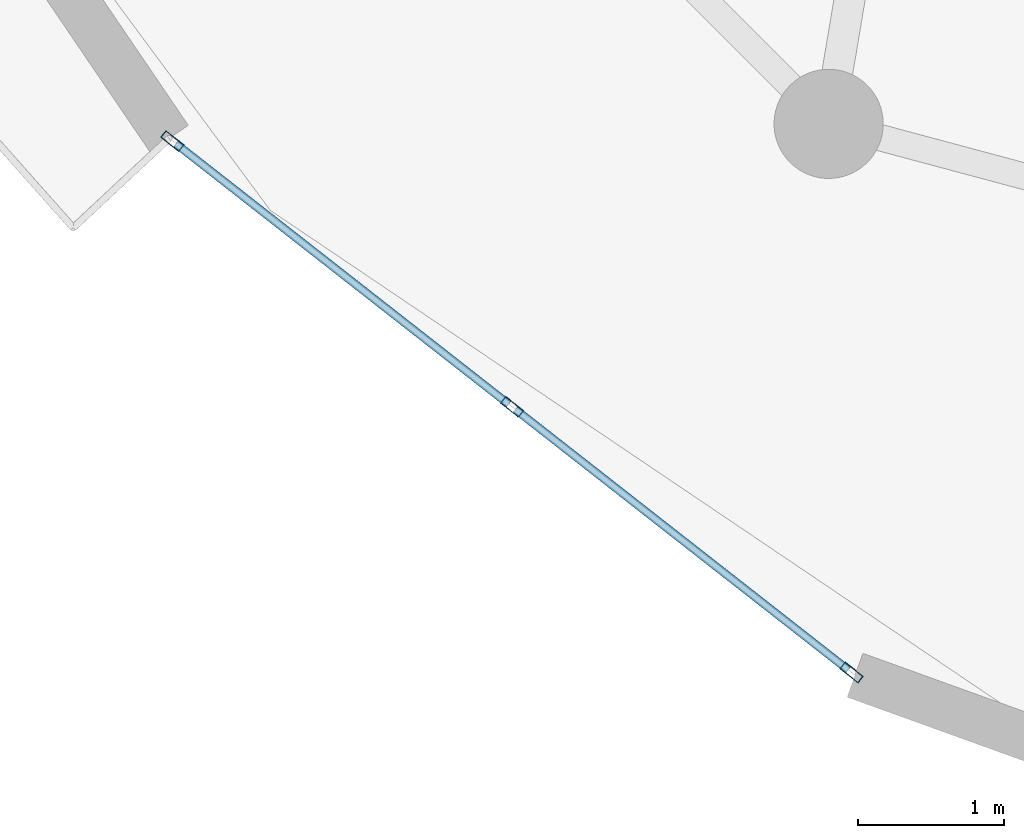
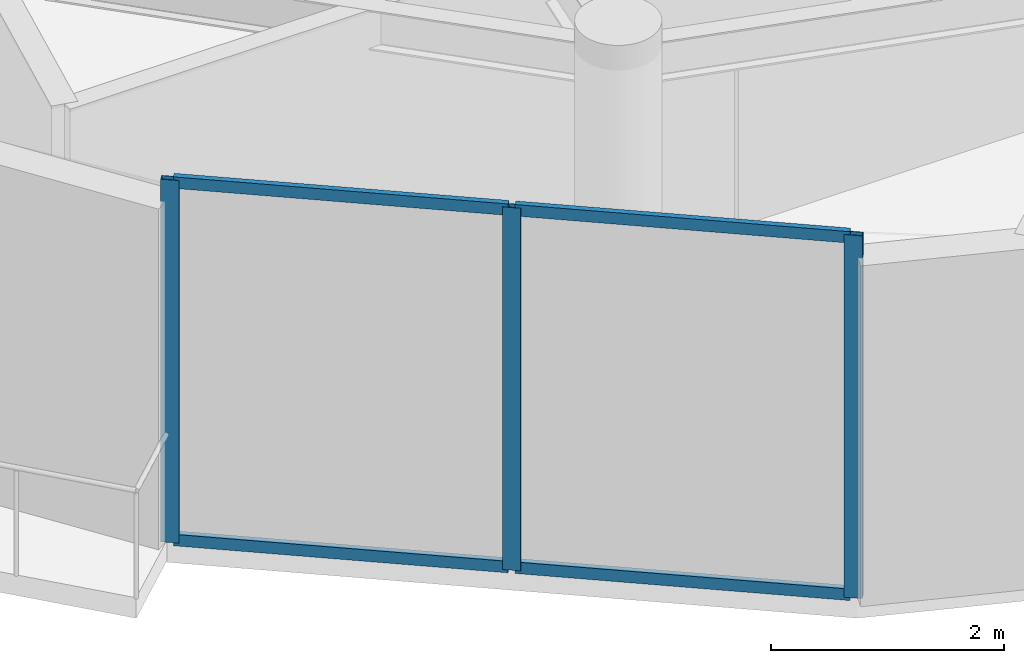
# One storey, part 2 of 19: 7 members, 1 element without a shape of its own.
"""IFC4 building model written with IfcOpenShell, lengths in metres."""

from ifc_helpers import new_model, si_unit, direction, frame, origin, origin_2d, place, context, subcontext, project, spatial, hollow_rectangle, extrude, source, transform, mapped, material, layer, layer_set, material_profile, profile_set, type_object, element, aggregate, save


model = new_model("IFC4")

# Units and contexts
model_context = context("Model", 3, precision=1e-05, world=origin(), true_north=direction((0.0, 1.0)))
body_context = subcontext(model_context, "Body", "Model", "MODEL_VIEW")
ifc_project = project(units=[si_unit("LENGTHUNIT", "METRE"), si_unit("AREAUNIT", "SQUARE_METRE"), si_unit("VOLUMEUNIT", "CUBIC_METRE"), si_unit("PLANEANGLEUNIT", "RADIAN"), si_unit("MASSUNIT", "GRAM", prefix="KILO")], contexts=[model_context])

# Site, building, storey
site_placement = place(None, origin())
site = spatial("IfcSite", under=ifc_project, at=site_placement, CompositionType="ELEMENT")
building_placement = place(site_placement, origin())
building = spatial("IfcBuilding", under=site, at=building_placement, Name="Solvirekh Grand Hotel", CompositionType="ELEMENT")
storey_placement = place(building_placement, frame((0.0, 0.0, 254.39990234375)))
storey = spatial("IfcBuildingStorey", under=building, at=storey_placement, Name="L66", CompositionType="ELEMENT", Elevation=254.39990234375)

# Curtain wall, members
ifc_material = material(Name="Anodized Bronze Aluminium 6063-T6", Category="aluminium")
ifc_layer = layer(ifc_material, 0.159912109375)
ifc_layer_set = layer_set([ifc_layer], Name="Anodized Bronze Aluminium 6063-T6")
curtain_wall_type = type_object("IfcCurtainWallType", Name="CW_Sys4_HighZoneFlushBronzeCW", PredefinedType="NOTDEFINED", material=ifc_layer_set)
curtain_wall_placement = place(storey_placement, origin())
curtain_wall = element("IfcCurtainWall", 1, at=curtain_wall_placement, inside=storey, type_object=curtain_wall_type, Name="L66 unitised bronze-glass curtain wall CW-L66-C18", PredefinedType="NOTDEFINED")
ifc_material_profile_1 = material_profile(ifc_material, hollow_rectangle(XDim=0.06005859375, YDim=0.159912109375, WallThickness=0.0048828125, at=origin_2d()), Name="ALU RHS 160X60X5")
ifc_profile_set_1 = profile_set([ifc_material_profile_1], Name="Anodized Bronze Aluminium 6063-T6")
member_type_1 = type_object("IfcMemberType", Name="CWMullion_Sys4", PredefinedType="MULLION", material=ifc_profile_set_1)
shared_shape_1 = source(origin(), body_context, "Body", "SweptSolid", [
    extrude(hollow_rectangle(XDim=0.06005859375, YDim=0.159912109375, WallThickness=0.0048828125, at=origin_2d()), origin(), (0.0, 0.0, 1.0), 3.800048828125),
])
member_1_placement = place(storey_placement, frame((-12.2333984375, -13.49853515625, 0.0), z_axis=(0.0, 0.0, 1.0), x_axis=(0.616263204488, 0.787540261062, 0.0)))
member_1 = element("IfcMember", 2, at=member_1_placement, type_object=member_type_1, Name="U04 mullion 1", PredefinedType="MULLION", context=body_context, shape_type="MappedRepresentation", body=[
    mapped(shared_shape_1, transform((0.0, 0.0, 0.0), x_axis=(1.0, 0.0, 0.0), y_axis=(0.0, 1.0, 0.0), z_axis=(0.0, 0.0, 1.0), scale=1.0)),
])
member_2_placement = place(storey_placement, frame((-9.900390625, -15.323974609375, 0.0), z_axis=(0.0, 0.0, 1.0), x_axis=(0.616263204488, 0.787540261062, 0.0)))
member_2 = element("IfcMember", 3, at=member_2_placement, type_object=member_type_1, Name="U04 mullion 2", PredefinedType="MULLION", context=body_context, shape_type="MappedRepresentation", body=[
    mapped(shared_shape_1, transform((0.0, 0.0, 0.0), x_axis=(1.0, 0.0, 0.0), y_axis=(0.0, 1.0, 0.0), z_axis=(0.0, 0.0, 1.0), scale=1.0)),
])
member_3_placement = place(storey_placement, frame((-7.567626953125, -17.1494140625, 0.0), z_axis=(0.0, 0.0, 1.0), x_axis=(0.616263204488, 0.787540261062, 0.0)))
member_3 = element("IfcMember", 4, at=member_3_placement, type_object=member_type_1, Name="U04 mullion 3", PredefinedType="MULLION", context=body_context, shape_type="MappedRepresentation", body=[
    mapped(shared_shape_1, transform((0.0, 0.0, 0.0), x_axis=(1.0, 0.0, 0.0), y_axis=(0.0, 1.0, 0.0), z_axis=(0.0, 0.0, 1.0), scale=1.0)),
])
ifc_material_profile_2 = material_profile(ifc_material, hollow_rectangle(XDim=0.054931640625, YDim=0.1201171875, WallThickness=0.00390625, at=origin_2d()), Name="ALU RHS 120X55X4")
ifc_profile_set_2 = profile_set([ifc_material_profile_2], Name="Anodized Bronze Aluminium 6063-T6")
member_type_2 = type_object("IfcMemberType", Name="CWTransom_Sys4", PredefinedType="USERDEFINED", material=ifc_profile_set_2)
shared_shape_2 = source(origin(), body_context, "Body", "SweptSolid", [
    extrude(hollow_rectangle(XDim=0.054931640625, YDim=0.1201171875, WallThickness=0.00390625, at=origin_2d()), origin(), (0.0, 0.0, 1.0), 2.90234375),
])
member_4_placement = place(storey_placement, frame((-9.876953125, -15.342529296875, 0.027587890625), z_axis=(0.787536951967, -0.616267433252, 0.0), x_axis=(0.616267433252, 0.787536951967, 0.0)))
member_4 = element("IfcMember", 5, at=member_4_placement, type_object=member_type_2, Name="U04 transom 2.1", ObjectType="TRANSOM", PredefinedType="USERDEFINED", context=body_context, shape_type="MappedRepresentation", body=[
    mapped(shared_shape_2, transform((0.0, 0.0, 0.0), x_axis=(1.0, 0.0, 0.0), y_axis=(0.0, 1.0, 0.0), z_axis=(0.0, 0.0, 1.0), scale=1.0)),
])
member_5_placement = place(storey_placement, frame((-9.876953125, -15.342529296875, 3.772705078125), z_axis=(0.787536951967, -0.616267433252, 0.0), x_axis=(0.616267433252, 0.787536951967, 0.0)))
member_5 = element("IfcMember", 6, at=member_5_placement, type_object=member_type_2, Name="U04 transom 2.2", ObjectType="TRANSOM", PredefinedType="USERDEFINED", context=body_context, shape_type="MappedRepresentation", body=[
    mapped(shared_shape_2, transform((0.0, 0.0, 0.0), x_axis=(1.0, 0.0, 0.0), y_axis=(0.0, 1.0, 0.0), z_axis=(0.0, 0.0, 1.0), scale=1.0)),
])
shared_shape_3 = source(origin(), body_context, "Body", "SweptSolid", [
    extrude(hollow_rectangle(XDim=0.054931640625, YDim=0.1201171875, WallThickness=0.00390625, at=origin_2d()), origin(), (0.0, 0.0, 1.0), 2.902099609375),
])
member_6_placement = place(storey_placement, frame((-12.209716796875, -13.51708984375, 0.027587890625), z_axis=(0.787577778884, -0.61621525639, 0.0), x_axis=(0.61621525639, 0.787577778884, 0.0)))
member_6 = element("IfcMember", 7, at=member_6_placement, type_object=member_type_2, Name="U04 transom 1.1", ObjectType="TRANSOM", PredefinedType="USERDEFINED", context=body_context, shape_type="MappedRepresentation", body=[
    mapped(shared_shape_3, transform((0.0, 0.0, 0.0), x_axis=(1.0, 0.0, 0.0), y_axis=(0.0, 1.0, 0.0), z_axis=(0.0, 0.0, 1.0), scale=1.0)),
])
member_7_placement = place(storey_placement, frame((-12.209716796875, -13.51708984375, 3.772705078125), z_axis=(0.787577778884, -0.61621525639, 0.0), x_axis=(0.61621525639, 0.787577778884, 0.0)))
member_7 = element("IfcMember", 8, at=member_7_placement, type_object=member_type_2, Name="U04 transom 1.2", ObjectType="TRANSOM", PredefinedType="USERDEFINED", context=body_context, shape_type="MappedRepresentation", body=[
    mapped(shared_shape_3, transform((0.0, 0.0, 0.0), x_axis=(1.0, 0.0, 0.0), y_axis=(0.0, 1.0, 0.0), z_axis=(0.0, 0.0, 1.0), scale=1.0)),
])
aggregate(curtain_wall, [member_1, member_2, member_3, member_6, member_7, member_4, member_5])

save(model, "model.ifc")
